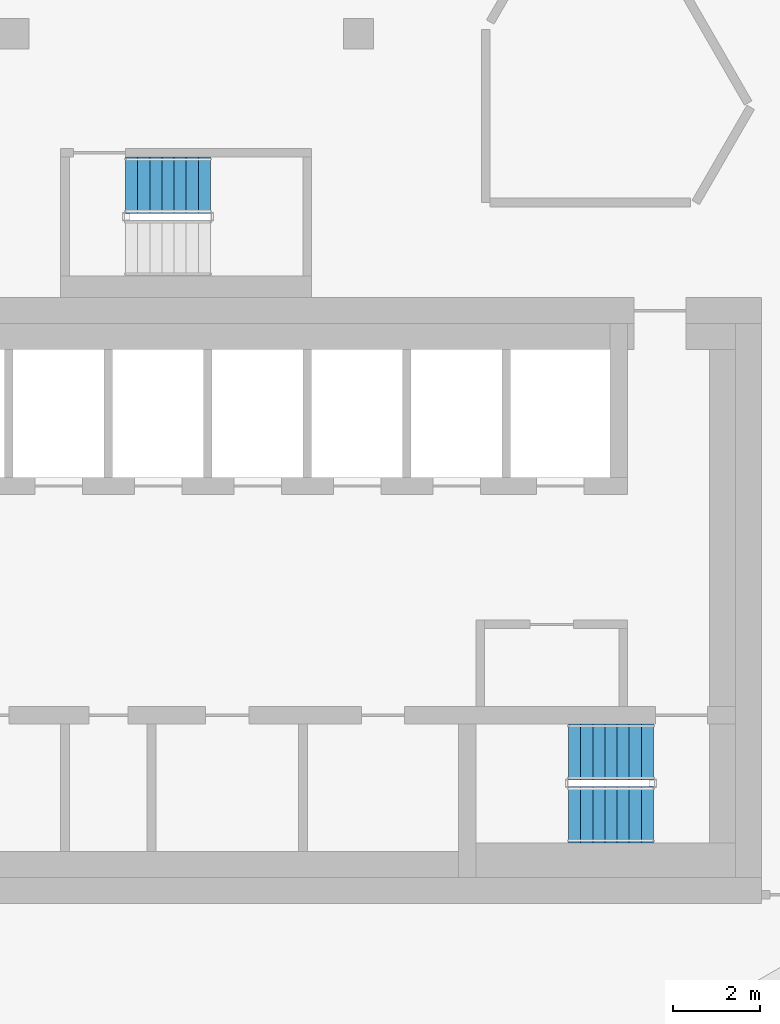
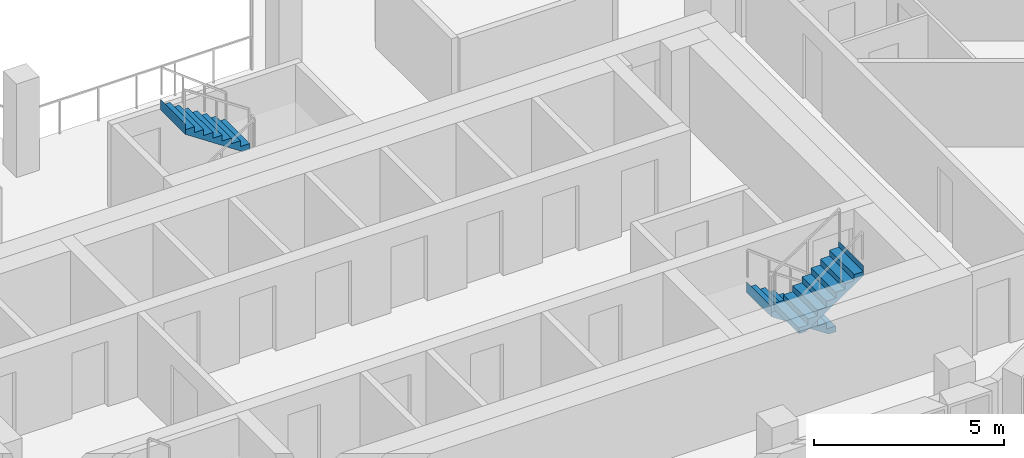
# One storey, part 10 of 15: 3 stair flights, 2 elements without a shape of their own.
"""IFC4 building model written with IfcOpenShell, lengths in metres."""

from ifc_helpers import new_model, si_unit, direction, frame, origin, place, context, subcontext, project, spatial, triangles, material, type_object, element, aggregate, save


model = new_model("IFC4")

# Units and contexts
model_context = context("Model", 3, precision=1e-05, world=origin(), true_north=direction((0.0, 1.0)))
body_context = subcontext(model_context, "Body", "Model", "MODEL_VIEW")
ifc_project = project(units=[si_unit("LENGTHUNIT", "METRE"), si_unit("AREAUNIT", "SQUARE_METRE"), si_unit("VOLUMEUNIT", "CUBIC_METRE"), si_unit("PLANEANGLEUNIT", "RADIAN"), si_unit("MASSUNIT", "GRAM", prefix="KILO")], contexts=[model_context])

# Site, building, storey
site_placement = place(None, origin())
site = spatial("IfcSite", under=ifc_project, at=site_placement, CompositionType="ELEMENT")
building_placement = place(site_placement, origin())
building = spatial("IfcBuilding", under=site, at=building_placement, Name="Beryl Residences", CompositionType="ELEMENT")
storey_placement = place(building_placement, frame((0.0, 0.0, 163.199951171875)))
storey = spatial("IfcBuildingStorey", under=building, at=storey_placement, Name="L49", CompositionType="ELEMENT", Elevation=163.199951171875)

# Stair, stair flights
ifc_material_1 = material(Name="Concrete C40/50", Category="concrete")
stair_type = type_object("IfcStairType", Name="ST1 protected exit stair, half-turn, 1300 mm flights", PredefinedType="HALF_TURN_STAIR", material=ifc_material_1)
stair_1_placement = place(storey_placement, origin())
stair_1 = element("IfcStair", 1, at=stair_1_placement, inside=storey, type_object=stair_type, Name="L49 PROTECTED EXIT STAIR ST-3", PredefinedType="HALF_TURN_STAIR")
ifc_material_2 = material(Name="Concrete C40/50", Category="concrete")
stair_flight_type = type_object("IfcStairFlightType", Name="SF1 stair flight 1300 mm", PredefinedType="STRAIGHT", material=ifc_material_2)
stair_flight_1_placement = place(storey_placement, frame((10.800048828125, -15.5, 0.0), z_axis=(0.0, 0.0, 1.0), x_axis=(-1.0, 0.0, 0.0)))
stair_flight_1 = element("IfcStairFlight", 2, at=stair_flight_1_placement, type_object=stair_flight_type, Name="ST-3 flight 1", NumberOfRisers=8, NumberOfTreads=7, PredefinedType="STRAIGHT", RiserHeight=0.1875, TreadLength=0.28, context=body_context, shape_type="Tessellation", body=[
    triangles([(0.0, -0.64990234375, 0.0), (0.0, -0.324951171875, 0.0), (0.0, 0.0, 0.0), (0.0, 0.324951171875, 0.0), (0.0, 0.64990234375, 0.0), (0.0, -0.64990234375, 0.1875), (0.0, -0.324951171875, 0.1875), (0.0, 0.0, 0.1875), (0.0, 0.324951171875, 0.1875), (0.0, 0.64990234375, 0.1875), (0.280029296875, -0.64990234375, 0.1875), (0.280029296875, -0.324951171875, 0.1875), (0.280029296875, 0.0, 0.1875), (0.280029296875, 0.324951171875, 0.1875), (0.280029296875, 0.64990234375, 0.1875), (0.280029296875, -0.64990234375, 0.375), (0.280029296875, -0.324951171875, 0.375), (0.280029296875, 0.0, 0.375), (0.280029296875, 0.324951171875, 0.375), (0.280029296875, 0.64990234375, 0.375), (0.56005859375, -0.64990234375, 0.375), (0.56005859375, -0.324951171875, 0.375), (0.56005859375, 0.0, 0.375), (0.56005859375, 0.324951171875, 0.375), (0.56005859375, 0.64990234375, 0.375), (0.56005859375, -0.64990234375, 0.5625), (0.56005859375, -0.324951171875, 0.5625), (0.56005859375, 0.0, 0.5625), (0.56005859375, 0.324951171875, 0.5625), (0.56005859375, 0.64990234375, 0.5625), (0.840087890625, -0.64990234375, 0.5625), (0.840087890625, -0.324951171875, 0.5625), (0.840087890625, 0.0, 0.5625), (0.840087890625, 0.324951171875, 0.5625), (0.840087890625, 0.64990234375, 0.5625), (0.840087890625, -0.64990234375, 0.75), (0.840087890625, -0.324951171875, 0.75), (0.840087890625, 0.0, 0.75), (0.840087890625, 0.324951171875, 0.75), (0.840087890625, 0.64990234375, 0.75), (1.1201171875, -0.64990234375, 0.75), (1.1201171875, -0.324951171875, 0.75), (1.1201171875, 0.0, 0.75), (1.1201171875, 0.324951171875, 0.75), (1.1201171875, 0.64990234375, 0.75), (1.1201171875, -0.64990234375, 0.9375), (1.1201171875, -0.324951171875, 0.9375), (1.1201171875, 0.0, 0.9375), (1.1201171875, 0.324951171875, 0.9375), (1.1201171875, 0.64990234375, 0.9375), (1.39990234375, -0.64990234375, 0.9375), (1.39990234375, -0.324951171875, 0.9375), (1.39990234375, 0.0, 0.9375), (1.39990234375, 0.324951171875, 0.9375), (1.39990234375, 0.64990234375, 0.9375), (1.39990234375, -0.64990234375, 1.125), (1.39990234375, -0.324951171875, 1.125), (1.39990234375, 0.0, 1.125), (1.39990234375, 0.324951171875, 1.125), (1.39990234375, 0.64990234375, 1.125), (1.679931640625, -0.64990234375, 1.125), (1.679931640625, -0.324951171875, 1.125), (1.679931640625, 0.0, 1.125), (1.679931640625, 0.324951171875, 1.125), (1.679931640625, 0.64990234375, 1.125), (1.679931640625, -0.64990234375, 1.3125), (1.679931640625, -0.324951171875, 1.3125), (1.679931640625, 0.0, 1.3125), (1.679931640625, 0.324951171875, 1.3125), (1.679931640625, 0.64990234375, 1.3125), (1.9599609375, -0.64990234375, 1.3125), (1.9599609375, -0.324951171875, 1.3125), (1.9599609375, 0.0, 1.3125), (1.9599609375, 0.324951171875, 1.3125), (1.9599609375, 0.64990234375, 1.3125), (1.9599609375, -0.64990234375, 1.5), (1.9599609375, -0.324951171875, 1.5), (1.9599609375, 0.0, 1.5), (1.9599609375, 0.324951171875, 1.5), (1.9599609375, 0.64990234375, 1.5), (1.9609375, -0.64990234375, 1.5), (1.9609375, -0.324951171875, 1.5), (1.9609375, 0.0, 1.5), (1.9609375, 0.324951171875, 1.5), (1.9609375, 0.64990234375, 1.5), (1.9609375, -0.64990234375, 1.16796875), (1.9609375, -0.324951171875, 1.16796875), (1.9609375, 0.0, 1.16796875), (1.9609375, 0.324951171875, 1.16796875), (1.9609375, 0.64990234375, 1.16796875), (0.216796875, -0.64990234375, 0.0), (0.216796875, -0.324951171875, 0.0), (0.216796875, 0.0, 0.0), (0.216796875, 0.324951171875, 0.0), (0.216796875, 0.64990234375, 0.0)], [[1, 6, 7], [1, 7, 2], [2, 7, 8], [2, 8, 3], [3, 8, 9], [3, 9, 4], [4, 9, 10], [4, 10, 5], [6, 11, 12], [6, 12, 7], [7, 12, 13], [7, 13, 8], [8, 13, 14], [8, 14, 9], [9, 14, 15], [9, 15, 10], [11, 16, 17], [11, 17, 12], [12, 17, 18], [12, 18, 13], [13, 18, 19], [13, 19, 14], [14, 19, 20], [14, 20, 15], [16, 21, 22], [16, 22, 17], [17, 22, 23], [17, 23, 18], [18, 23, 24], [18, 24, 19], [19, 24, 25], [19, 25, 20], [21, 26, 27], [21, 27, 22], [22, 27, 28], [22, 28, 23], [23, 28, 29], [23, 29, 24], [24, 29, 30], [24, 30, 25], [26, 31, 32], [26, 32, 27], [27, 32, 33], [27, 33, 28], [28, 33, 34], [28, 34, 29], [29, 34, 35], [29, 35, 30], [31, 36, 37], [31, 37, 32], [32, 37, 38], [32, 38, 33], [33, 38, 39], [33, 39, 34], [34, 39, 40], [34, 40, 35], [36, 41, 42], [36, 42, 37], [37, 42, 43], [37, 43, 38], [38, 43, 44], [38, 44, 39], [39, 44, 45], [39, 45, 40], [41, 46, 47], [41, 47, 42], [42, 47, 48], [42, 48, 43], [43, 48, 49], [43, 49, 44], [44, 49, 50], [44, 50, 45], [46, 51, 52], [46, 52, 47], [47, 52, 53], [47, 53, 48], [48, 53, 54], [48, 54, 49], [49, 54, 55], [49, 55, 50], [51, 56, 57], [51, 57, 52], [52, 57, 58], [52, 58, 53], [53, 58, 59], [53, 59, 54], [54, 59, 60], [54, 60, 55], [56, 61, 62], [56, 62, 57], [57, 62, 63], [57, 63, 58], [58, 63, 64], [58, 64, 59], [59, 64, 65], [59, 65, 60], [61, 66, 67], [61, 67, 62], [62, 67, 68], [62, 68, 63], [63, 68, 69], [63, 69, 64], [64, 69, 70], [64, 70, 65], [66, 71, 72], [66, 72, 67], [67, 72, 73], [67, 73, 68], [68, 73, 74], [68, 74, 69], [69, 74, 75], [69, 75, 70], [71, 76, 77], [71, 77, 72], [72, 77, 78], [72, 78, 73], [73, 78, 79], [73, 79, 74], [74, 79, 80], [74, 80, 75], [76, 81, 82], [76, 82, 77], [77, 82, 83], [77, 83, 78], [78, 83, 84], [78, 84, 79], [79, 84, 85], [79, 85, 80], [81, 86, 87], [81, 87, 82], [82, 87, 88], [82, 88, 83], [83, 88, 89], [83, 89, 84], [84, 89, 90], [84, 90, 85], [86, 91, 92], [86, 92, 87], [87, 92, 93], [87, 93, 88], [88, 93, 94], [88, 94, 89], [89, 94, 95], [89, 95, 90], [91, 1, 2], [91, 2, 92], [92, 2, 3], [92, 3, 93], [93, 3, 4], [93, 4, 94], [94, 4, 5], [94, 5, 95], [1, 91, 86], [5, 90, 95], [86, 81, 76], [90, 80, 85], [86, 76, 71], [90, 75, 80], [86, 71, 66], [90, 70, 75], [86, 66, 61], [90, 65, 70], [61, 56, 51], [65, 55, 60], [86, 61, 51], [90, 55, 65], [51, 46, 41], [55, 45, 50], [86, 51, 41], [90, 45, 55], [41, 36, 31], [45, 35, 40], [86, 41, 31], [90, 35, 45], [31, 26, 21], [35, 25, 30], [86, 31, 21], [90, 25, 35], [21, 16, 11], [25, 15, 20], [86, 21, 11], [90, 15, 25], [1, 86, 11], [5, 15, 90], [11, 6, 1], [15, 5, 10]], closed=True),
])
stair_flight_2_placement = place(storey_placement, frame((8.840087890625, -16.949951171875, 1.5), z_axis=(0.0, 0.0, 1.0), x_axis=(1.0, 0.0, 0.0)))
stair_flight_2 = element("IfcStairFlight", 3, at=stair_flight_2_placement, type_object=stair_flight_type, Name="ST-3 flight 2", NumberOfRisers=8, NumberOfTreads=7, PredefinedType="STRAIGHT", RiserHeight=0.1875, TreadLength=0.28, context=body_context, shape_type="Tessellation", body=[
    triangles([(0.0, -0.64990234375, 0.0), (0.0, -0.324951171875, 0.0), (0.0, 0.0, 0.0), (0.0, 0.324951171875, 0.0), (0.0, 0.64990234375, 0.0), (0.0, -0.64990234375, 0.1875), (0.0, -0.324951171875, 0.1875), (0.0, 0.0, 0.1875), (0.0, 0.324951171875, 0.1875), (0.0, 0.64990234375, 0.1875), (0.280029296875, -0.64990234375, 0.1875), (0.280029296875, -0.324951171875, 0.1875), (0.280029296875, 0.0, 0.1875), (0.280029296875, 0.324951171875, 0.1875), (0.280029296875, 0.64990234375, 0.1875), (0.280029296875, -0.64990234375, 0.375), (0.280029296875, -0.324951171875, 0.375), (0.280029296875, 0.0, 0.375), (0.280029296875, 0.324951171875, 0.375), (0.280029296875, 0.64990234375, 0.375), (0.56005859375, -0.64990234375, 0.375), (0.56005859375, -0.324951171875, 0.375), (0.56005859375, 0.0, 0.375), (0.56005859375, 0.324951171875, 0.375), (0.56005859375, 0.64990234375, 0.375), (0.56005859375, -0.64990234375, 0.5625), (0.56005859375, -0.324951171875, 0.5625), (0.56005859375, 0.0, 0.5625), (0.56005859375, 0.324951171875, 0.5625), (0.56005859375, 0.64990234375, 0.5625), (0.840087890625, -0.64990234375, 0.5625), (0.840087890625, -0.324951171875, 0.5625), (0.840087890625, 0.0, 0.5625), (0.840087890625, 0.324951171875, 0.5625), (0.840087890625, 0.64990234375, 0.5625), (0.840087890625, -0.64990234375, 0.75), (0.840087890625, -0.324951171875, 0.75), (0.840087890625, 0.0, 0.75), (0.840087890625, 0.324951171875, 0.75), (0.840087890625, 0.64990234375, 0.75), (1.1201171875, -0.64990234375, 0.75), (1.1201171875, -0.324951171875, 0.75), (1.1201171875, 0.0, 0.75), (1.1201171875, 0.324951171875, 0.75), (1.1201171875, 0.64990234375, 0.75), (1.1201171875, -0.64990234375, 0.9375), (1.1201171875, -0.324951171875, 0.9375), (1.1201171875, 0.0, 0.9375), (1.1201171875, 0.324951171875, 0.9375), (1.1201171875, 0.64990234375, 0.9375), (1.39990234375, -0.64990234375, 0.9375), (1.39990234375, -0.324951171875, 0.9375), (1.39990234375, 0.0, 0.9375), (1.39990234375, 0.324951171875, 0.9375), (1.39990234375, 0.64990234375, 0.9375), (1.39990234375, -0.64990234375, 1.125), (1.39990234375, -0.324951171875, 1.125), (1.39990234375, 0.0, 1.125), (1.39990234375, 0.324951171875, 1.125), (1.39990234375, 0.64990234375, 1.125), (1.679931640625, -0.64990234375, 1.125), (1.679931640625, -0.324951171875, 1.125), (1.679931640625, 0.0, 1.125), (1.679931640625, 0.324951171875, 1.125), (1.679931640625, 0.64990234375, 1.125), (1.679931640625, -0.64990234375, 1.3125), (1.679931640625, -0.324951171875, 1.3125), (1.679931640625, 0.0, 1.3125), (1.679931640625, 0.324951171875, 1.3125), (1.679931640625, 0.64990234375, 1.3125), (1.9599609375, -0.64990234375, 1.3125), (1.9599609375, -0.324951171875, 1.3125), (1.9599609375, 0.0, 1.3125), (1.9599609375, 0.324951171875, 1.3125), (1.9599609375, 0.64990234375, 1.3125), (1.9599609375, -0.64990234375, 1.5), (1.9599609375, -0.324951171875, 1.5), (1.9599609375, 0.0, 1.5), (1.9599609375, 0.324951171875, 1.5), (1.9599609375, 0.64990234375, 1.5), (1.9609375, -0.64990234375, 1.5), (1.9609375, -0.324951171875, 1.5), (1.9609375, 0.0, 1.5), (1.9609375, 0.324951171875, 1.5), (1.9609375, 0.64990234375, 1.5), (1.9609375, -0.64990234375, 1.16796875), (1.9609375, -0.324951171875, 1.16796875), (1.9609375, 0.0, 1.16796875), (1.9609375, 0.324951171875, 1.16796875), (1.9609375, 0.64990234375, 1.16796875), (0.216796875, -0.64990234375, 0.0), (0.216796875, -0.324951171875, 0.0), (0.216796875, 0.0, 0.0), (0.216796875, 0.324951171875, 0.0), (0.216796875, 0.64990234375, 0.0)], [[1, 6, 7], [1, 7, 2], [2, 7, 8], [2, 8, 3], [3, 8, 9], [3, 9, 4], [4, 9, 10], [4, 10, 5], [6, 11, 12], [6, 12, 7], [7, 12, 13], [7, 13, 8], [8, 13, 14], [8, 14, 9], [9, 14, 15], [9, 15, 10], [11, 16, 17], [11, 17, 12], [12, 17, 18], [12, 18, 13], [13, 18, 19], [13, 19, 14], [14, 19, 20], [14, 20, 15], [16, 21, 22], [16, 22, 17], [17, 22, 23], [17, 23, 18], [18, 23, 24], [18, 24, 19], [19, 24, 25], [19, 25, 20], [21, 26, 27], [21, 27, 22], [22, 27, 28], [22, 28, 23], [23, 28, 29], [23, 29, 24], [24, 29, 30], [24, 30, 25], [26, 31, 32], [26, 32, 27], [27, 32, 33], [27, 33, 28], [28, 33, 34], [28, 34, 29], [29, 34, 35], [29, 35, 30], [31, 36, 37], [31, 37, 32], [32, 37, 38], [32, 38, 33], [33, 38, 39], [33, 39, 34], [34, 39, 40], [34, 40, 35], [36, 41, 42], [36, 42, 37], [37, 42, 43], [37, 43, 38], [38, 43, 44], [38, 44, 39], [39, 44, 45], [39, 45, 40], [41, 46, 47], [41, 47, 42], [42, 47, 48], [42, 48, 43], [43, 48, 49], [43, 49, 44], [44, 49, 50], [44, 50, 45], [46, 51, 52], [46, 52, 47], [47, 52, 53], [47, 53, 48], [48, 53, 54], [48, 54, 49], [49, 54, 55], [49, 55, 50], [51, 56, 57], [51, 57, 52], [52, 57, 58], [52, 58, 53], [53, 58, 59], [53, 59, 54], [54, 59, 60], [54, 60, 55], [56, 61, 62], [56, 62, 57], [57, 62, 63], [57, 63, 58], [58, 63, 64], [58, 64, 59], [59, 64, 65], [59, 65, 60], [61, 66, 67], [61, 67, 62], [62, 67, 68], [62, 68, 63], [63, 68, 69], [63, 69, 64], [64, 69, 70], [64, 70, 65], [66, 71, 72], [66, 72, 67], [67, 72, 73], [67, 73, 68], [68, 73, 74], [68, 74, 69], [69, 74, 75], [69, 75, 70], [71, 76, 77], [71, 77, 72], [72, 77, 78], [72, 78, 73], [73, 78, 79], [73, 79, 74], [74, 79, 80], [74, 80, 75], [76, 81, 82], [76, 82, 77], [77, 82, 83], [77, 83, 78], [78, 83, 84], [78, 84, 79], [79, 84, 85], [79, 85, 80], [81, 86, 87], [81, 87, 82], [82, 87, 88], [82, 88, 83], [83, 88, 89], [83, 89, 84], [84, 89, 90], [84, 90, 85], [86, 91, 92], [86, 92, 87], [87, 92, 93], [87, 93, 88], [88, 93, 94], [88, 94, 89], [89, 94, 95], [89, 95, 90], [91, 1, 2], [91, 2, 92], [92, 2, 3], [92, 3, 93], [93, 3, 4], [93, 4, 94], [94, 4, 5], [94, 5, 95], [1, 91, 86], [5, 90, 95], [86, 81, 76], [90, 80, 85], [86, 76, 71], [90, 75, 80], [86, 71, 66], [90, 70, 75], [86, 66, 61], [90, 65, 70], [61, 56, 51], [65, 55, 60], [86, 61, 51], [90, 55, 65], [51, 46, 41], [55, 45, 50], [86, 51, 41], [90, 45, 55], [41, 36, 31], [45, 35, 40], [86, 41, 31], [90, 35, 45], [31, 26, 21], [35, 25, 30], [86, 31, 21], [90, 25, 35], [21, 16, 11], [25, 15, 20], [86, 21, 11], [90, 15, 25], [1, 86, 11], [5, 15, 90], [11, 6, 1], [15, 5, 10]], closed=True),
])
aggregate(stair_1, [stair_flight_1, stair_flight_2])

# Stair, stair flight
stair_2_placement = place(storey_placement, origin())
stair_2 = element("IfcStair", 4, at=stair_2_placement, inside=storey, type_object=stair_type, Name="L49 PROTECTED EXIT STAIR ST-4", PredefinedType="HALF_TURN_STAIR")
stair_flight_3_placement = place(storey_placement, frame((0.56005859375, -2.39990234375, 1.5), z_axis=(0.0, 0.0, 1.0), x_axis=(-1.0, 0.0, 0.0)))
stair_flight_3 = element("IfcStairFlight", 5, at=stair_flight_3_placement, type_object=stair_flight_type, Name="ST-4 flight 2", NumberOfRisers=8, NumberOfTreads=7, PredefinedType="STRAIGHT", RiserHeight=0.1875, TreadLength=0.28, context=body_context, shape_type="Tessellation", body=[
    triangles([(0.0, -0.64990234375, 0.0), (0.0, -0.324951171875, 0.0), (0.0, 0.0, 0.0), (0.0, 0.324951171875, 0.0), (0.0, 0.64990234375, 0.0), (0.0, -0.64990234375, 0.1875), (0.0, -0.324951171875, 0.1875), (0.0, 0.0, 0.1875), (0.0, 0.324951171875, 0.1875), (0.0, 0.64990234375, 0.1875), (0.280029296875, -0.64990234375, 0.1875), (0.280029296875, -0.324951171875, 0.1875), (0.280029296875, 0.0, 0.1875), (0.280029296875, 0.324951171875, 0.1875), (0.280029296875, 0.64990234375, 0.1875), (0.280029296875, -0.64990234375, 0.375), (0.280029296875, -0.324951171875, 0.375), (0.280029296875, 0.0, 0.375), (0.280029296875, 0.324951171875, 0.375), (0.280029296875, 0.64990234375, 0.375), (0.56005859375, -0.64990234375, 0.375), (0.56005859375, -0.324951171875, 0.375), (0.56005859375, 0.0, 0.375), (0.56005859375, 0.324951171875, 0.375), (0.56005859375, 0.64990234375, 0.375), (0.56005859375, -0.64990234375, 0.5625), (0.56005859375, -0.324951171875, 0.5625), (0.56005859375, 0.0, 0.5625), (0.56005859375, 0.324951171875, 0.5625), (0.56005859375, 0.64990234375, 0.5625), (0.840087890625, -0.64990234375, 0.5625), (0.840087890625, -0.324951171875, 0.5625), (0.840087890625, 0.0, 0.5625), (0.840087890625, 0.324951171875, 0.5625), (0.840087890625, 0.64990234375, 0.5625), (0.840087890625, -0.64990234375, 0.75), (0.840087890625, -0.324951171875, 0.75), (0.840087890625, 0.0, 0.75), (0.840087890625, 0.324951171875, 0.75), (0.840087890625, 0.64990234375, 0.75), (1.1201171875, -0.64990234375, 0.75), (1.1201171875, -0.324951171875, 0.75), (1.1201171875, 0.0, 0.75), (1.1201171875, 0.324951171875, 0.75), (1.1201171875, 0.64990234375, 0.75), (1.1201171875, -0.64990234375, 0.9375), (1.1201171875, -0.324951171875, 0.9375), (1.1201171875, 0.0, 0.9375), (1.1201171875, 0.324951171875, 0.9375), (1.1201171875, 0.64990234375, 0.9375), (1.39990234375, -0.64990234375, 0.9375), (1.39990234375, -0.324951171875, 0.9375), (1.39990234375, 0.0, 0.9375), (1.39990234375, 0.324951171875, 0.9375), (1.39990234375, 0.64990234375, 0.9375), (1.39990234375, -0.64990234375, 1.125), (1.39990234375, -0.324951171875, 1.125), (1.39990234375, 0.0, 1.125), (1.39990234375, 0.324951171875, 1.125), (1.39990234375, 0.64990234375, 1.125), (1.679931640625, -0.64990234375, 1.125), (1.679931640625, -0.324951171875, 1.125), (1.679931640625, 0.0, 1.125), (1.679931640625, 0.324951171875, 1.125), (1.679931640625, 0.64990234375, 1.125), (1.679931640625, -0.64990234375, 1.3125), (1.679931640625, -0.324951171875, 1.3125), (1.679931640625, 0.0, 1.3125), (1.679931640625, 0.324951171875, 1.3125), (1.679931640625, 0.64990234375, 1.3125), (1.9599609375, -0.64990234375, 1.3125), (1.9599609375, -0.324951171875, 1.3125), (1.9599609375, 0.0, 1.3125), (1.9599609375, 0.324951171875, 1.3125), (1.9599609375, 0.64990234375, 1.3125), (1.9599609375, -0.64990234375, 1.5), (1.9599609375, -0.324951171875, 1.5), (1.9599609375, 0.0, 1.5), (1.9599609375, 0.324951171875, 1.5), (1.9599609375, 0.64990234375, 1.5), (1.9609375, -0.64990234375, 1.5), (1.9609375, -0.324951171875, 1.5), (1.9609375, 0.0, 1.5), (1.9609375, 0.324951171875, 1.5), (1.9609375, 0.64990234375, 1.5), (1.9609375, -0.64990234375, 1.16796875), (1.9609375, -0.324951171875, 1.16796875), (1.9609375, 0.0, 1.16796875), (1.9609375, 0.324951171875, 1.16796875), (1.9609375, 0.64990234375, 1.16796875), (0.216796875, -0.64990234375, 0.0), (0.216796875, -0.324951171875, 0.0), (0.216796875, 0.0, 0.0), (0.216796875, 0.324951171875, 0.0), (0.216796875, 0.64990234375, 0.0)], [[1, 6, 7], [1, 7, 2], [2, 7, 8], [2, 8, 3], [3, 8, 9], [3, 9, 4], [4, 9, 10], [4, 10, 5], [6, 11, 12], [6, 12, 7], [7, 12, 13], [7, 13, 8], [8, 13, 14], [8, 14, 9], [9, 14, 15], [9, 15, 10], [11, 16, 17], [11, 17, 12], [12, 17, 18], [12, 18, 13], [13, 18, 19], [13, 19, 14], [14, 19, 20], [14, 20, 15], [16, 21, 22], [16, 22, 17], [17, 22, 23], [17, 23, 18], [18, 23, 24], [18, 24, 19], [19, 24, 25], [19, 25, 20], [21, 26, 27], [21, 27, 22], [22, 27, 28], [22, 28, 23], [23, 28, 29], [23, 29, 24], [24, 29, 30], [24, 30, 25], [26, 31, 32], [26, 32, 27], [27, 32, 33], [27, 33, 28], [28, 33, 34], [28, 34, 29], [29, 34, 35], [29, 35, 30], [31, 36, 37], [31, 37, 32], [32, 37, 38], [32, 38, 33], [33, 38, 39], [33, 39, 34], [34, 39, 40], [34, 40, 35], [36, 41, 42], [36, 42, 37], [37, 42, 43], [37, 43, 38], [38, 43, 44], [38, 44, 39], [39, 44, 45], [39, 45, 40], [41, 46, 47], [41, 47, 42], [42, 47, 48], [42, 48, 43], [43, 48, 49], [43, 49, 44], [44, 49, 50], [44, 50, 45], [46, 51, 52], [46, 52, 47], [47, 52, 53], [47, 53, 48], [48, 53, 54], [48, 54, 49], [49, 54, 55], [49, 55, 50], [51, 56, 57], [51, 57, 52], [52, 57, 58], [52, 58, 53], [53, 58, 59], [53, 59, 54], [54, 59, 60], [54, 60, 55], [56, 61, 62], [56, 62, 57], [57, 62, 63], [57, 63, 58], [58, 63, 64], [58, 64, 59], [59, 64, 65], [59, 65, 60], [61, 66, 67], [61, 67, 62], [62, 67, 68], [62, 68, 63], [63, 68, 69], [63, 69, 64], [64, 69, 70], [64, 70, 65], [66, 71, 72], [66, 72, 67], [67, 72, 73], [67, 73, 68], [68, 73, 74], [68, 74, 69], [69, 74, 75], [69, 75, 70], [71, 76, 77], [71, 77, 72], [72, 77, 78], [72, 78, 73], [73, 78, 79], [73, 79, 74], [74, 79, 80], [74, 80, 75], [76, 81, 82], [76, 82, 77], [77, 82, 83], [77, 83, 78], [78, 83, 84], [78, 84, 79], [79, 84, 85], [79, 85, 80], [81, 86, 87], [81, 87, 82], [82, 87, 88], [82, 88, 83], [83, 88, 89], [83, 89, 84], [84, 89, 90], [84, 90, 85], [86, 91, 92], [86, 92, 87], [87, 92, 93], [87, 93, 88], [88, 93, 94], [88, 94, 89], [89, 94, 95], [89, 95, 90], [91, 1, 2], [91, 2, 92], [92, 2, 3], [92, 3, 93], [93, 3, 4], [93, 4, 94], [94, 4, 5], [94, 5, 95], [1, 91, 86], [5, 90, 95], [86, 81, 76], [90, 80, 85], [86, 76, 71], [90, 75, 80], [86, 71, 66], [90, 70, 75], [86, 66, 61], [90, 65, 70], [61, 56, 51], [65, 55, 60], [86, 61, 51], [90, 55, 65], [51, 46, 41], [55, 45, 50], [86, 51, 41], [90, 45, 55], [41, 36, 31], [45, 35, 40], [86, 41, 31], [90, 35, 45], [31, 26, 21], [35, 25, 30], [86, 31, 21], [90, 25, 35], [21, 16, 11], [25, 15, 20], [86, 21, 11], [90, 15, 25], [1, 86, 11], [5, 15, 90], [11, 6, 1], [15, 5, 10]], closed=True),
])
aggregate(stair_2, [stair_flight_3])

save(model, "model.ifc")
